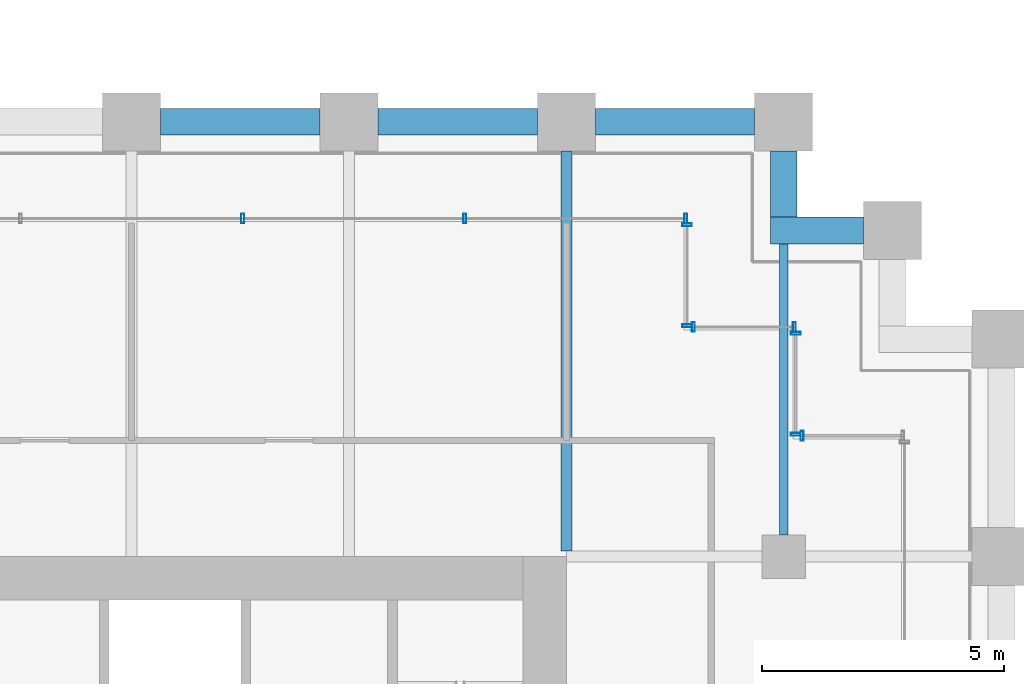
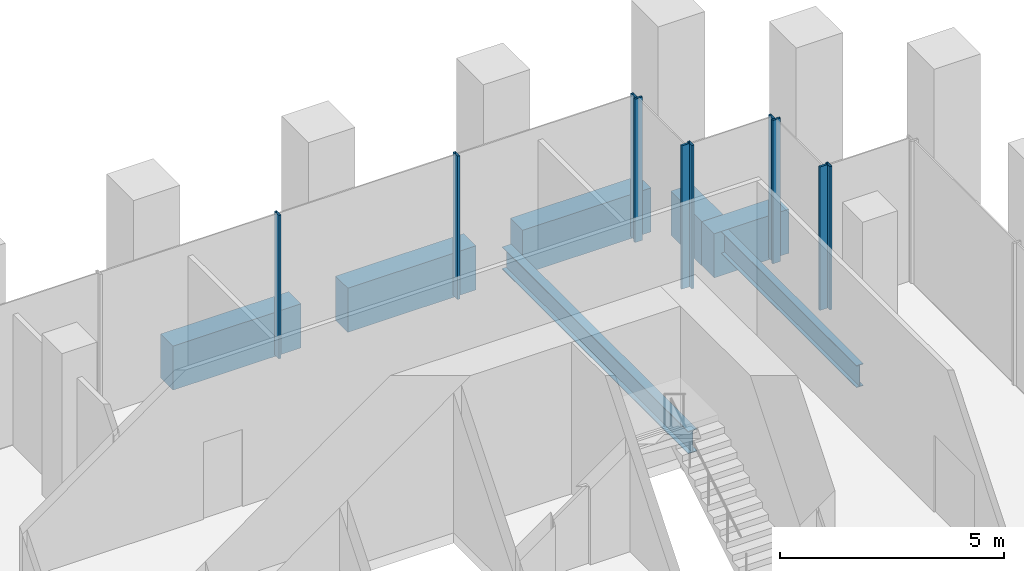
# One storey, part 25 of 36: 10 members, 7 beams, 5 elements without a shape of their own.
"""IFC4 building model written with IfcOpenShell, lengths in metres."""

from ifc_helpers import new_model, si_unit, direction, frame, origin, origin_2d, place, context, subcontext, project, spatial, rectangle, hollow_rectangle, i_section, extrude, material, material_profile, profile_set, type_object, element, aggregate, save


model = new_model("IFC4")

# Units and contexts
model_context = context("Model", 3, precision=1e-05, world=origin(), true_north=direction((0.0, 1.0)))
body_context = subcontext(model_context, "Body", "Model", "MODEL_VIEW")
ifc_project = project(units=[si_unit("LENGTHUNIT", "METRE"), si_unit("AREAUNIT", "SQUARE_METRE"), si_unit("VOLUMEUNIT", "CUBIC_METRE"), si_unit("PLANEANGLEUNIT", "RADIAN"), si_unit("MASSUNIT", "GRAM", prefix="KILO")], contexts=[model_context])

# Site, building, storey
site_placement = place(None, origin())
site = spatial("IfcSite", under=ifc_project, at=site_placement, CompositionType="ELEMENT")
building_placement = place(site_placement, origin())
building = spatial("IfcBuilding", under=site, at=building_placement, Name="Altepetl Exchange Towers", CompositionType="ELEMENT")
storey_placement = place(building_placement, frame((0.0, 0.0, 29.800048828125)))
storey = spatial("IfcBuildingStorey", under=building, at=storey_placement, Name="L06", CompositionType="ELEMENT", Elevation=29.800048828125)

# Beams
ifc_material_1 = material(Name="Steel S355", Category="steel")
ifc_material_profile_1 = material_profile(ifc_material_1, i_section(OverallWidth=0.178955078125, OverallDepth=0.60302734375, WebThickness=0.010986328125, FlangeThickness=0.014892578125, at=origin_2d()), Name="W24X62")
ifc_profile_set_1 = profile_set([ifc_material_profile_1], Name="Steel S355")
beam_type_1 = type_object("IfcBeamType", Name="Floor beam W24X62", PredefinedType="BEAM", material=ifc_profile_set_1)
beam_1_placement = place(storey_placement, frame((121.5, 49.949951171875, -0.4765625), z_axis=(0.0, 1.0, 0.0), x_axis=(-1.0, 0.0, 0.0)))
element("IfcBeam", 1, at=beam_1_placement, inside=storey, type_object=beam_type_1, Name="bm:B:L06:003", PredefinedType="BEAM", context=body_context, shape_type="SweptSolid", body=[
    extrude(i_section(OverallWidth=0.178955078125, OverallDepth=0.60302734375, WebThickness=0.010986328125, FlangeThickness=0.014892578125, at=origin_2d()), origin(), (0.0, 0.0, 1.0), 6.025146484375),
])
ifc_material_profile_2 = material_profile(ifc_material_1, i_section(OverallWidth=0.22900390625, OverallDepth=0.612060546875, WebThickness=0.011962890625, FlangeThickness=0.01953125, at=origin_2d()), Name="W24X84")
ifc_profile_set_2 = profile_set([ifc_material_profile_2], Name="Steel S355")
beam_type_2 = type_object("IfcBeamType", Name="Floor beam W24X84", PredefinedType="BEAM", material=ifc_profile_set_2)
beam_2_placement = place(storey_placement, frame((117.0, 49.614013671875, -0.48095703125), z_axis=(0.0, 1.0, 0.0), x_axis=(-1.0, 0.0, 0.0)))
element("IfcBeam", 2, at=beam_2_placement, inside=storey, type_object=beam_type_2, Name="bm:B:L06:002", PredefinedType="BEAM", context=body_context, shape_type="SweptSolid", body=[
    extrude(i_section(OverallWidth=0.22900390625, OverallDepth=0.612060546875, WebThickness=0.011962890625, FlangeThickness=0.01953125, at=origin_2d()), origin(), (0.0, 0.0, 1.0), 8.285888671875),
])

# Curtain wall, member
ifc_material_2 = material(Name="Aluminium 6063-T6 glazing", Category="aluminium")
curtain_wall_type = type_object("IfcCurtainWallType", Name="Trading floor glazing system", PredefinedType="NOTDEFINED", material=ifc_material_2)
curtain_wall_1_placement = place(storey_placement, origin())
curtain_wall_1 = element("IfcCurtainWall", 3, at=curtain_wall_1_placement, inside=storey, type_object=curtain_wall_type, Name="CW2 run", PredefinedType="NOTDEFINED")
ifc_material_3 = material(Name="Aluminium 6063-T6", Category="aluminium")
ifc_material_profile_3 = material_profile(ifc_material_3, hollow_rectangle(XDim=0.06005859375, YDim=0.199951171875, WallThickness=0.0029296875, at=origin_2d()), Name="Mullion 60x200 aluminium")
ifc_profile_set_3 = profile_set([ifc_material_profile_3], Name="Aluminium 6063-T6")
member_type = type_object("IfcMemberType", Name="Mullion 60x200 aluminium", PredefinedType="MULLION", material=ifc_profile_set_3)
member_1_placement = place(storey_placement, frame((121.8798828125, 52.0, 0.0), z_axis=(0.0, 0.0, 1.0), x_axis=(-1.0, 0.0, 0.0)))
member_1 = element("IfcMember", 4, at=member_1_placement, type_object=member_type, Name="MU2 mullion", PredefinedType="MULLION", context=body_context, shape_type="SweptSolid", body=[
    extrude(hollow_rectangle(XDim=0.06005859375, YDim=0.199951171875, WallThickness=0.0029296875, at=origin_2d()), origin(), (0.0, 0.0, 1.0), 3.89990234375),
])
aggregate(curtain_wall_1, [member_1])

# Curtain wall, members
curtain_wall_2_placement = place(storey_placement, origin())
curtain_wall_2 = element("IfcCurtainWall", 5, at=curtain_wall_2_placement, inside=storey, type_object=curtain_wall_type, Name="CW2 run", PredefinedType="NOTDEFINED")
member_2_placement = place(storey_placement, frame((121.75, 52.030029296875, 0.0), z_axis=(0.0, 0.0, 1.0), x_axis=(0.0, 1.0, 0.0)))
member_2 = element("IfcMember", 6, at=member_2_placement, type_object=member_type, Name="MU2 mullion", PredefinedType="MULLION", context=body_context, shape_type="SweptSolid", body=[
    extrude(hollow_rectangle(XDim=0.06005859375, YDim=0.199951171875, WallThickness=0.0029296875, at=origin_2d()), origin(), (0.0, 0.0, 1.0), 3.89990234375),
])
member_3_placement = place(storey_placement, frame((121.75, 54.1201171875, 0.0), z_axis=(0.0, 0.0, 1.0), x_axis=(0.0, 1.0, 0.0)))
member_3 = element("IfcMember", 7, at=member_3_placement, type_object=member_type, Name="MU2 mullion", PredefinedType="MULLION", context=body_context, shape_type="SweptSolid", body=[
    extrude(hollow_rectangle(XDim=0.06005859375, YDim=0.199951171875, WallThickness=0.0029296875, at=origin_2d()), origin(), (0.0, 0.0, 1.0), 3.89990234375),
])
aggregate(curtain_wall_2, [member_2, member_3])

curtain_wall_3_placement = place(storey_placement, origin())
curtain_wall_3 = element("IfcCurtainWall", 8, at=curtain_wall_3_placement, inside=storey, type_object=curtain_wall_type, Name="CW2 run", PredefinedType="NOTDEFINED")
member_4_placement = place(storey_placement, frame((121.719970703125, 54.25, 0.0), z_axis=(0.0, 0.0, 1.0), x_axis=(-1.0, 0.0, 0.0)))
member_4 = element("IfcMember", 9, at=member_4_placement, type_object=member_type, Name="MU2 mullion", PredefinedType="MULLION", context=body_context, shape_type="SweptSolid", body=[
    extrude(hollow_rectangle(XDim=0.06005859375, YDim=0.199951171875, WallThickness=0.0029296875, at=origin_2d()), origin(), (0.0, 0.0, 1.0), 3.89990234375),
])
member_5_placement = place(storey_placement, frame((119.6298828125, 54.25, 0.0), z_axis=(0.0, 0.0, 1.0), x_axis=(-1.0, 0.0, 0.0)))
member_5 = element("IfcMember", 10, at=member_5_placement, type_object=member_type, Name="MU2 mullion", PredefinedType="MULLION", context=body_context, shape_type="SweptSolid", body=[
    extrude(hollow_rectangle(XDim=0.06005859375, YDim=0.199951171875, WallThickness=0.0029296875, at=origin_2d()), origin(), (0.0, 0.0, 1.0), 3.89990234375),
])
aggregate(curtain_wall_3, [member_4, member_5])

curtain_wall_4_placement = place(storey_placement, origin())
curtain_wall_4 = element("IfcCurtainWall", 11, at=curtain_wall_4_placement, inside=storey, type_object=curtain_wall_type, Name="CW2 run", PredefinedType="NOTDEFINED")
member_6_placement = place(storey_placement, frame((119.5, 54.280029296875, 0.0), z_axis=(0.0, 0.0, 1.0), x_axis=(0.0, 1.0, 0.0)))
member_6 = element("IfcMember", 12, at=member_6_placement, type_object=member_type, Name="MU2 mullion", PredefinedType="MULLION", context=body_context, shape_type="SweptSolid", body=[
    extrude(hollow_rectangle(XDim=0.06005859375, YDim=0.199951171875, WallThickness=0.0029296875, at=origin_2d()), origin(), (0.0, 0.0, 1.0), 3.89990234375),
])
member_7_placement = place(storey_placement, frame((119.5, 56.3701171875, 0.0), z_axis=(0.0, 0.0, 1.0), x_axis=(0.0, 1.0, 0.0)))
member_7 = element("IfcMember", 13, at=member_7_placement, type_object=member_type, Name="MU2 mullion", PredefinedType="MULLION", context=body_context, shape_type="SweptSolid", body=[
    extrude(hollow_rectangle(XDim=0.06005859375, YDim=0.199951171875, WallThickness=0.0029296875, at=origin_2d()), origin(), (0.0, 0.0, 1.0), 3.89990234375),
])
aggregate(curtain_wall_4, [member_6, member_7])

curtain_wall_5_placement = place(storey_placement, origin())
curtain_wall_5 = element("IfcCurtainWall", 14, at=curtain_wall_5_placement, inside=storey, type_object=curtain_wall_type, Name="CW2 run", PredefinedType="NOTDEFINED")
member_8_placement = place(storey_placement, frame((119.469970703125, 56.5, 0.0), z_axis=(0.0, 0.0, 1.0), x_axis=(-1.0, 0.0, 0.0)))
member_8 = element("IfcMember", 15, at=member_8_placement, type_object=member_type, Name="MU2 mullion", PredefinedType="MULLION", context=body_context, shape_type="SweptSolid", body=[
    extrude(hollow_rectangle(XDim=0.06005859375, YDim=0.199951171875, WallThickness=0.0029296875, at=origin_2d()), origin(), (0.0, 0.0, 1.0), 3.89990234375),
])
member_9_placement = place(storey_placement, frame((114.89990234375, 56.5, 0.0), z_axis=(0.0, 0.0, 1.0), x_axis=(-1.0, 0.0, 0.0)))
member_9 = element("IfcMember", 16, at=member_9_placement, type_object=member_type, Name="MU2 mullion", PredefinedType="MULLION", context=body_context, shape_type="SweptSolid", body=[
    extrude(hollow_rectangle(XDim=0.06005859375, YDim=0.199951171875, WallThickness=0.0029296875, at=origin_2d()), origin(), (0.0, 0.0, 1.0), 3.89990234375),
])
member_10_placement = place(storey_placement, frame((110.300048828125, 56.5, 0.0), z_axis=(0.0, 0.0, 1.0), x_axis=(-1.0, 0.0, 0.0)))
member_10 = element("IfcMember", 17, at=member_10_placement, type_object=member_type, Name="MU2 mullion", PredefinedType="MULLION", context=body_context, shape_type="SweptSolid", body=[
    extrude(hollow_rectangle(XDim=0.06005859375, YDim=0.199951171875, WallThickness=0.0029296875, at=origin_2d()), origin(), (0.0, 0.0, 1.0), 3.89990234375),
])
aggregate(curtain_wall_5, [member_8, member_9, member_10])

# Beams
ifc_material_4 = material(Name="Concrete C50/60 precast with cantera amarilla facing", Category="concrete")
ifc_material_profile_4 = material_profile(ifc_material_4, rectangle(XDim=0.550048828125, YDim=1.199951171875, at=origin_2d()), Name="550 x 1200")
ifc_profile_set_4 = profile_set([ifc_material_profile_4], Name="Concrete C50/60 precast with cantera amarilla facing")
beam_type_3 = type_object("IfcBeamType", Name="Spandrel beam 550x1200 cantera amarilla", PredefinedType="SPANDREL", material=ifc_profile_set_4)
beam_3_placement = place(storey_placement, frame((123.14990234375, 56.25, -0.775146484375), z_axis=(-1.0, 0.0, 0.0), x_axis=(0.0, -1.0, 0.0)))
element("IfcBeam", 18, at=beam_3_placement, inside=storey, type_object=beam_type_3, Name="sp:B:L06:016", PredefinedType="SPANDREL", context=body_context, shape_type="SweptSolid", body=[
    extrude(rectangle(XDim=0.550048828125, YDim=1.199951171875, at=origin_2d()), origin(), (0.0, 0.0, 1.0), 1.9248046875),
])
beam_4_placement = place(storey_placement, frame((121.5, 56.52490234375, -0.775146484375), z_axis=(0.0, 1.0, 0.0), x_axis=(-1.0, 0.0, 0.0)))
element("IfcBeam", 19, at=beam_4_placement, inside=storey, type_object=beam_type_3, Name="sp:B:L06:017", PredefinedType="SPANDREL", context=body_context, shape_type="SweptSolid", body=[
    extrude(rectangle(XDim=0.550048828125, YDim=1.199951171875, at=origin_2d()), origin(), (0.0, 0.0, 1.0), 1.375),
])
for number, where, z_axis, x_axis, name in (
    (20, (120.89990234375, 58.5, -0.775146484375), (-1.0, 0.0, 0.0), (0.0, -1.0, 0.0), "sp:B:L06:018"),
    (21, (116.39990234375, 58.5, -0.775146484375), (-1.0, 0.0, 0.0), (0.0, -1.0, 0.0), "sp:B:L06:019"),
    (22, (111.89990234375, 58.5, -0.775146484375), (-1.0, 0.0, 0.0), (0.0, -1.0, 0.0), "sp:B:L06:020"),
):
    element("IfcBeam", number, at=place(storey_placement, frame(where, z_axis=z_axis, x_axis=x_axis)), inside=storey, type_object=beam_type_3, Name=name, PredefinedType="SPANDREL", context=body_context, shape_type="SweptSolid", body=[
        extrude(rectangle(XDim=0.550048828125, YDim=1.199951171875, at=origin_2d()), origin(), (0.0, 0.0, 1.0), 3.2998046875),
    ])

save(model, "model.ifc")
